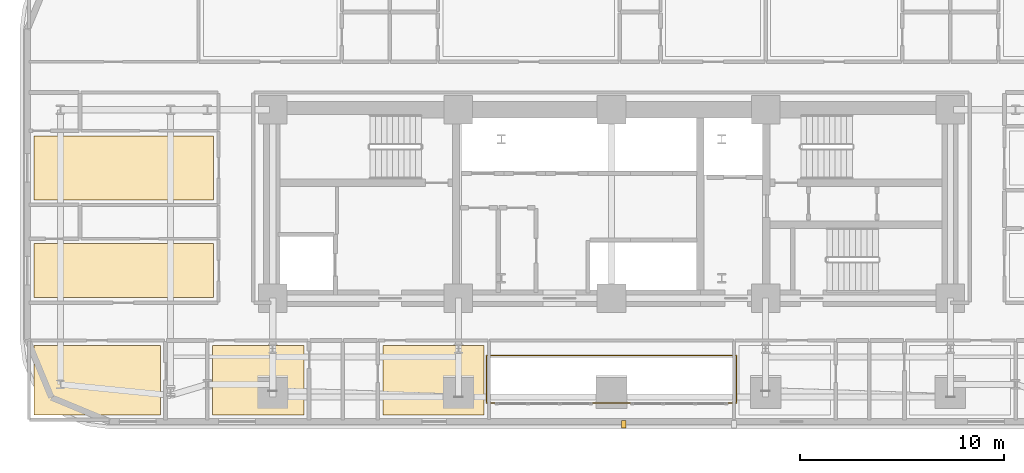
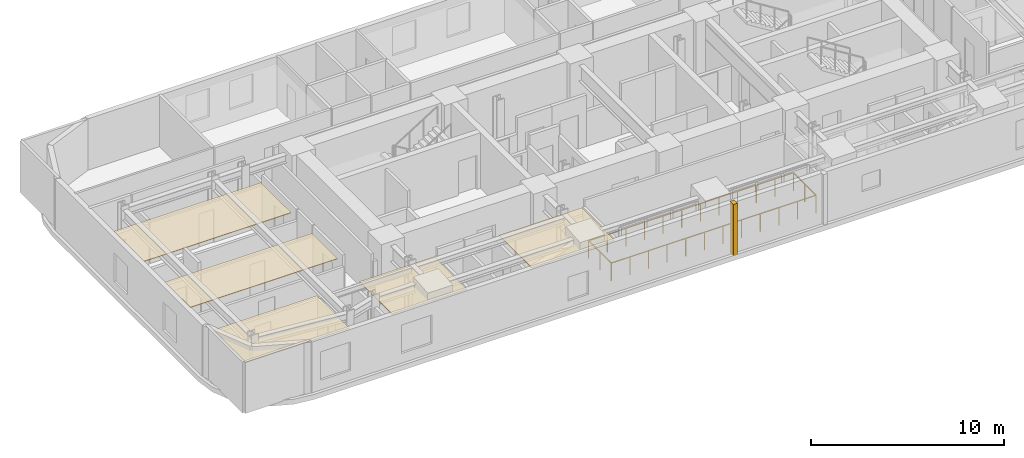
# One storey, part 13 of 16: 6 coverings, 1 railing.
"""IFC4 building model written with IfcOpenShell, lengths in metres."""

from ifc_helpers import new_model, si_unit, direction, frame, origin, origin_2d, place, context, subcontext, project, spatial, polyline, rectangle, outline, extrude, material, layer, layer_set, type_object, element, save


model = new_model("IFC4")

# Units and contexts
model_context = context("Model", 3, precision=1e-05, world=origin(), true_north=direction((0.0, 1.0)))
body_context = subcontext(model_context, "Body", "Model", "MODEL_VIEW")
ifc_project = project(units=[si_unit("LENGTHUNIT", "METRE"), si_unit("AREAUNIT", "SQUARE_METRE"), si_unit("VOLUMEUNIT", "CUBIC_METRE"), si_unit("PLANEANGLEUNIT", "RADIAN"), si_unit("MASSUNIT", "GRAM", prefix="KILO")], contexts=[model_context])

# Site, building, storey
site_placement = place(None, origin())
site = spatial("IfcSite", under=ifc_project, at=site_placement, CompositionType="ELEMENT")
building_placement = place(site_placement, origin())
building = spatial("IfcBuilding", under=site, at=building_placement, Name="Zarnavel Station Tower", CompositionType="ELEMENT")
storey_placement = place(building_placement, frame((0.0, 0.0, 32.5)))
storey = spatial("IfcBuildingStorey", under=building, at=storey_placement, Name="L08", CompositionType="ELEMENT", Elevation=32.5)

# Coverings
ifc_material_1 = material(Name="Perforated Gypsum and Mineral-Wool Acoustic Ceiling", Category="concrete")
ifc_layer = layer(ifc_material_1, 0.0400390625)
ifc_layer_set = layer_set([ifc_layer], Name="COV_CEIL_ACOUSTIC")
covering_type_1 = type_object("IfcCoveringType", Name="COV_CEIL_ACOUSTIC", PredefinedType="CEILING", material=ifc_layer_set)
covering_1_placement = place(storey_placement, frame((0.0, 0.0, 2.919921875)))
element("IfcCovering", 1, at=covering_1_placement, inside=storey, type_object=covering_type_1, Name="L08 FNW1R Acoustic Ceiling", PredefinedType="CEILING", context=body_context, shape_type="SweptSolid", body=[
    extrude(outline(polyline([(0.510009765625, 27.85009765625), (9.300048828125, 27.85009765625), (9.300048828125, 30.490966796875), (0.510009765625, 30.490966796875), (0.510009765625, 27.85009765625)])), origin(), (0.0, 0.0, 1.0), 0.0400390625),
])
covering_2_placement = place(storey_placement, frame((0.0, 0.0, 2.919921875)))
element("IfcCovering", 2, at=covering_2_placement, inside=storey, type_object=covering_type_1, Name="L08 FNW2R Acoustic Ceiling", PredefinedType="CEILING", context=body_context, shape_type="SweptSolid", body=[
    extrude(outline(polyline([(0.510009765625, 32.64111328125), (9.300048828125, 32.64111328125), (9.300048828125, 35.777099609375), (0.510009765625, 35.777099609375), (0.510009765625, 32.64111328125)])), origin(), (0.0, 0.0, 1.0), 0.0400390625),
])
covering_3_placement = place(storey_placement, frame((0.0, 0.0, 2.919921875)))
element("IfcCovering", 3, at=covering_3_placement, inside=storey, type_object=covering_type_1, Name="L08 HW1R Acoustic Ceiling", PredefinedType="CEILING", context=body_context, shape_type="SweptSolid", body=[
    extrude(outline(polyline([(0.510009765625, 22.110107421875), (6.699951171875, 22.110107421875), (6.699951171875, 25.5), (0.510009765625, 25.5), (0.510009765625, 22.110107421875)])), origin(), (0.0, 0.0, 1.0), 0.0400390625),
])
covering_4_placement = place(storey_placement, frame((0.0, 0.0, 2.919921875)))
element("IfcCovering", 4, at=covering_4_placement, inside=storey, type_object=covering_type_1, Name="L08 HW2R Acoustic Ceiling", PredefinedType="CEILING", context=body_context, shape_type="SweptSolid", body=[
    extrude(outline(polyline([(9.25, 22.110107421875), (13.72900390625, 22.110107421875), (13.72900390625, 25.5), (9.25, 25.5), (9.25, 22.110107421875)])), origin(), (0.0, 0.0, 1.0), 0.0400390625),
])
covering_5_placement = place(storey_placement, frame((0.0, 0.0, 2.919921875)))
element("IfcCovering", 5, at=covering_5_placement, inside=storey, type_object=covering_type_1, Name="L08 HW3R Acoustic Ceiling", PredefinedType="CEILING", context=body_context, shape_type="SweptSolid", body=[
    extrude(outline(polyline([(17.60009765625, 22.110107421875), (22.550048828125, 22.110107421875), (22.550048828125, 25.5), (17.60009765625, 25.5), (17.60009765625, 22.110107421875)])), origin(), (0.0, 0.0, 1.0), 0.0400390625),
])
ifc_material_2 = material(Name="Precast concrete C45/55 (Pale Travertine Slab Band)", Category="masonry")
covering_type_2 = type_object("IfcCoveringType", Name="COV_TRAVERTINE_BAND", PredefinedType="CLADDING", material=ifc_material_2)
covering_6_placement = place(storey_placement, frame((29.39990234375, 21.64990234375, 0.0), z_axis=(0.0, 0.0, 1.0), x_axis=(1.0, 0.0, 0.0)))
element("IfcCovering", 6, at=covering_6_placement, inside=storey, type_object=covering_type_2, Name="L08 Travertine Portal Loggia Vertical Jog West", PredefinedType="CLADDING", context=body_context, shape_type="SweptSolid", body=[
    extrude(rectangle(XDim=0.239990234375, YDim=0.360107421875, at=origin_2d()), origin(), (0.0, 0.0, 1.0), 3.239990234375),
])

# Railing
ifc_material_3 = material(Name="Painted Steel S355J2 Balustrade", Category="steel")
railing_type = type_object("IfcRailingType", Name="GR_INT_1150", PredefinedType="GUARDRAIL", material=ifc_material_3)
railing_placement = place(storey_placement, frame((22.679931640625, 22.679931640625, 0.0)))
element("IfcRailing", 7, at=railing_placement, inside=storey, type_object=railing_type, Name="L08 Atrium Void Guardrail", PredefinedType="GUARDRAIL", context=body_context, shape_type="SweptSolid", body=[
    extrude(rectangle(XDim=0.048095703125, YDim=0.048095703125, at=origin_2d()), frame((0.001953125, 0.0, 1.1259765625), z_axis=(1.0, 0.0, 0.0), x_axis=(0.0, 1.0, 0.0)), (0.0, 0.0, 1.0), 12.236083984375),
    extrude(rectangle(XDim=0.048095703125, YDim=0.048095703125, at=origin_2d()), frame((12.239990234375, 0.001953125, 1.1259765625), z_axis=(0.0, 1.0, 0.0), x_axis=(-1.0, 0.0, 0.0)), (0.0, 0.0, 1.0), 2.336181640625),
    extrude(rectangle(XDim=0.048095703125, YDim=0.048095703125, at=origin_2d()), frame((12.238037109375, 2.340087890625, 1.1259765625), z_axis=(-1.0, 0.0, 0.0), x_axis=(0.0, -1.0, 0.0)), (0.0, 0.0, 1.0), 12.236083984375),
    extrude(rectangle(XDim=0.048095703125, YDim=0.048095703125, at=origin_2d()), frame((0.0, 2.338134765625, 1.1259765625), z_axis=(0.0, -1.0, 0.0), x_axis=(1.0, 0.0, 0.0)), (0.0, 0.0, 1.0), 2.336181640625),
    extrude(rectangle(XDim=0.0419921875, YDim=0.0419921875, at=origin_2d()), origin(), (0.0, 0.0, 1.0), 1.101806640625),
    extrude(rectangle(XDim=0.0419921875, YDim=0.0419921875, at=origin_2d()), frame((1.11279296875, 0.0, 0.0)), (0.0, 0.0, 1.0), 1.101806640625),
    extrude(rectangle(XDim=0.0419921875, YDim=0.0419921875, at=origin_2d()), frame((2.225341796875, 0.0, 0.0)), (0.0, 0.0, 1.0), 1.101806640625),
    extrude(rectangle(XDim=0.0419921875, YDim=0.0419921875, at=origin_2d()), frame((3.338134765625, 0.0, 0.0)), (0.0, 0.0, 1.0), 1.101806640625),
    extrude(rectangle(XDim=0.0419921875, YDim=0.0419921875, at=origin_2d()), frame((4.450927734375, 0.0, 0.0)), (0.0, 0.0, 1.0), 1.101806640625),
    extrude(rectangle(XDim=0.0419921875, YDim=0.0419921875, at=origin_2d()), frame((5.563720703125, 0.0, 0.0)), (0.0, 0.0, 1.0), 1.101806640625),
    extrude(rectangle(XDim=0.0419921875, YDim=0.0419921875, at=origin_2d()), frame((6.67626953125, 0.0, 0.0)), (0.0, 0.0, 1.0), 1.101806640625),
    extrude(rectangle(XDim=0.0419921875, YDim=0.0419921875, at=origin_2d()), frame((7.7890625, 0.0, 0.0)), (0.0, 0.0, 1.0), 1.101806640625),
    extrude(rectangle(XDim=0.0419921875, YDim=0.0419921875, at=origin_2d()), frame((8.90185546875, 0.0, 0.0)), (0.0, 0.0, 1.0), 1.101806640625),
    extrude(rectangle(XDim=0.0419921875, YDim=0.0419921875, at=origin_2d()), frame((10.0146484375, 0.0, 0.0)), (0.0, 0.0, 1.0), 1.101806640625),
    extrude(rectangle(XDim=0.0419921875, YDim=0.0419921875, at=origin_2d()), frame((11.127197265625, 0.0, 0.0)), (0.0, 0.0, 1.0), 1.101806640625),
    extrude(rectangle(XDim=0.0419921875, YDim=0.0419921875, at=origin_2d()), frame((12.239990234375, 0.0, 0.0)), (0.0, 0.0, 1.0), 1.101806640625),
    extrude(rectangle(XDim=0.0419921875, YDim=0.0419921875, at=origin_2d()), frame((12.239990234375, 1.169921875, 0.0)), (0.0, 0.0, 1.0), 1.101806640625),
    extrude(rectangle(XDim=0.0419921875, YDim=0.0419921875, at=origin_2d()), frame((12.239990234375, 2.340087890625, 0.0)), (0.0, 0.0, 1.0), 1.101806640625),
    extrude(rectangle(XDim=0.0419921875, YDim=0.0419921875, at=origin_2d()), frame((11.127197265625, 2.340087890625, 0.0)), (0.0, 0.0, 1.0), 1.101806640625),
    extrude(rectangle(XDim=0.0419921875, YDim=0.0419921875, at=origin_2d()), frame((10.0146484375, 2.340087890625, 0.0)), (0.0, 0.0, 1.0), 1.101806640625),
    extrude(rectangle(XDim=0.0419921875, YDim=0.0419921875, at=origin_2d()), frame((8.90185546875, 2.340087890625, 0.0)), (0.0, 0.0, 1.0), 1.101806640625),
    extrude(rectangle(XDim=0.0419921875, YDim=0.0419921875, at=origin_2d()), frame((7.7890625, 2.340087890625, 0.0)), (0.0, 0.0, 1.0), 1.101806640625),
    extrude(rectangle(XDim=0.0419921875, YDim=0.0419921875, at=origin_2d()), frame((6.67626953125, 2.340087890625, 0.0)), (0.0, 0.0, 1.0), 1.101806640625),
    extrude(rectangle(XDim=0.0419921875, YDim=0.0419921875, at=origin_2d()), frame((5.563720703125, 2.340087890625, 0.0)), (0.0, 0.0, 1.0), 1.101806640625),
    extrude(rectangle(XDim=0.0419921875, YDim=0.0419921875, at=origin_2d()), frame((4.450927734375, 2.340087890625, 0.0)), (0.0, 0.0, 1.0), 1.101806640625),
    extrude(rectangle(XDim=0.0419921875, YDim=0.0419921875, at=origin_2d()), frame((3.338134765625, 2.340087890625, 0.0)), (0.0, 0.0, 1.0), 1.101806640625),
    extrude(rectangle(XDim=0.0419921875, YDim=0.0419921875, at=origin_2d()), frame((2.225341796875, 2.340087890625, 0.0)), (0.0, 0.0, 1.0), 1.101806640625),
    extrude(rectangle(XDim=0.0419921875, YDim=0.0419921875, at=origin_2d()), frame((1.11279296875, 2.340087890625, 0.0)), (0.0, 0.0, 1.0), 1.101806640625),
    extrude(rectangle(XDim=0.0419921875, YDim=0.0419921875, at=origin_2d()), frame((0.0, 2.340087890625, 0.0)), (0.0, 0.0, 1.0), 1.101806640625),
    extrude(rectangle(XDim=0.0419921875, YDim=0.0419921875, at=origin_2d()), frame((0.0, 1.169921875, 0.0)), (0.0, 0.0, 1.0), 1.101806640625),
])

save(model, "model.ifc")
